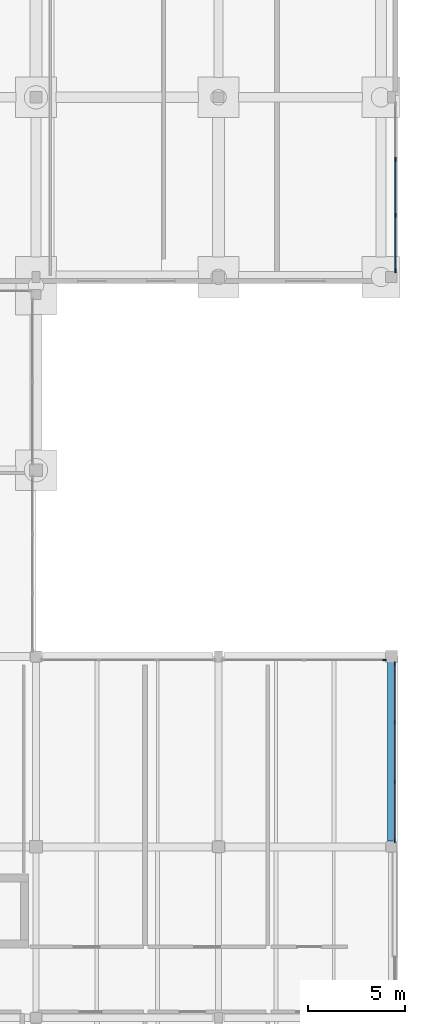
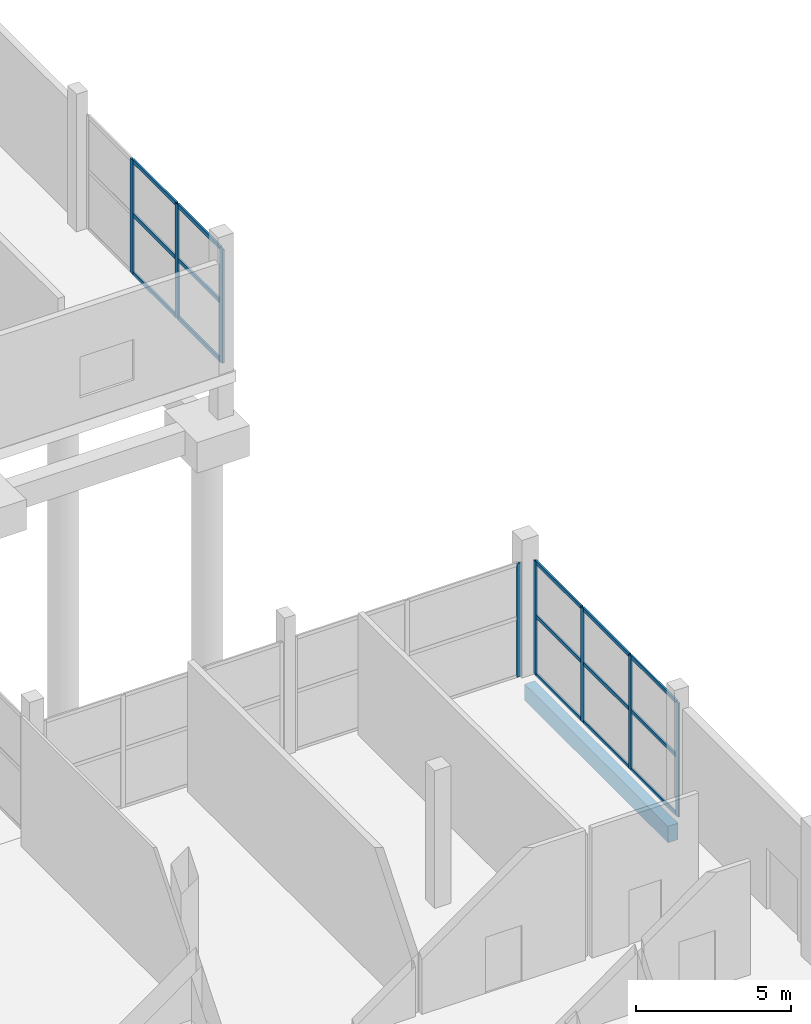
# One storey, part 45 of 88: 23 members, 1 beam, 3 elements without a shape of their own.
"""IFC4 building model written with IfcOpenShell, lengths in metres."""

from ifc_helpers import new_model, si_unit, direction, frame, origin, origin_2d, place, context, subcontext, project, spatial, rectangle, extrude, material, layer, layer_set, material_profile, profile_set, type_object, element, aggregate, save


model = new_model("IFC4")

# Units and contexts
model_context = context("Model", 3, precision=1e-05, world=origin(), true_north=direction((0.0, 1.0)))
body_context = subcontext(model_context, "Body", "Model", "MODEL_VIEW")
ifc_project = project(units=[si_unit("LENGTHUNIT", "METRE"), si_unit("AREAUNIT", "SQUARE_METRE"), si_unit("VOLUMEUNIT", "CUBIC_METRE"), si_unit("PLANEANGLEUNIT", "RADIAN"), si_unit("MASSUNIT", "GRAM", prefix="KILO")], contexts=[model_context])

# Site, building, storey
site_placement = place(None, origin())
site = spatial("IfcSite", under=ifc_project, at=site_placement, CompositionType="ELEMENT")
building_placement = place(site_placement, origin())
building = spatial("IfcBuilding", under=site, at=building_placement, Name="Birchvale Park Specialist Clinic", CompositionType="ELEMENT")
storey_placement = place(building_placement, origin())
storey = spatial("IfcBuildingStorey", under=building, at=storey_placement, Name="L00", CompositionType="ELEMENT", Elevation=0.0)

# Beam
ifc_material_1 = material(Name="Concrete C40/50", Category="concrete")
ifc_material_profile_1 = material_profile(ifc_material_1, rectangle(XDim=0.3798828125, YDim=0.639892578125, at=origin_2d()), Name="RCB-380x640")
ifc_profile_set_1 = profile_set([ifc_material_profile_1], Name="Concrete C40/50")
beam_type = type_object("IfcBeamType", Name="BM-EXT-BG5", PredefinedType="BEAM", material=ifc_profile_set_1)
beam_placement = place(storey_placement, frame((164.699951171875, 34.89990234375, -0.6201171875), z_axis=(0.0, 1.0, 0.0), x_axis=(-1.0, 0.0, 0.0)))
element("IfcBeam", 1, at=beam_placement, inside=storey, type_object=beam_type, Name="V5 L00 Y girder 38", PredefinedType="BEAM", context=body_context, shape_type="SweptSolid", body=[
    extrude(rectangle(XDim=0.3798828125, YDim=0.639892578125, at=origin_2d()), origin(), (0.0, 0.0, 1.0), 9.22509765625),
])

# Curtain wall, members
ifc_material_2 = material(Name="Thermally broken anodised aluminium", Category="aluminium")
ifc_layer_1 = layer(ifc_material_2, 0.195068359375)
ifc_layer_set_1 = layer_set([ifc_layer_1], Name="Thermally broken anodised aluminium")
curtain_wall_type_1 = type_object("IfcCurtainWallType", Name="CW-U2", PredefinedType="USERDEFINED", material=ifc_layer_set_1)
curtain_wall_1_placement = place(storey_placement, origin())
curtain_wall_1 = element("IfcCurtainWall", 2, at=curtain_wall_1_placement, inside=storey, type_object=curtain_wall_type_1, Name="V5 L00 glazed curtain wall 48", ObjectType="UNITISED", PredefinedType="USERDEFINED")
ifc_material_profile_2 = material_profile(ifc_material_2, rectangle(XDim=0.06494140625, YDim=0.179931640625, at=origin_2d()), Name="CWM-65x180")
ifc_profile_set_2 = profile_set([ifc_material_profile_2], Name="Thermally broken anodised aluminium")
member_type_1 = type_object("IfcMemberType", Name="CWM2", PredefinedType="MULLION", material=ifc_profile_set_2)
member_1_placement = place(storey_placement, frame((164.875, 34.8974609375, 0.0), z_axis=(0.0, 0.0, 1.0), x_axis=(-1.0, 0.0, 0.0)))
member_1 = element("IfcMember", 3, at=member_1_placement, type_object=member_type_1, Name="CW mullion 1", PredefinedType="MULLION", context=body_context, shape_type="SweptSolid", body=[
    extrude(rectangle(XDim=0.06494140625, YDim=0.179931640625, at=origin_2d()), origin(), (0.0, 0.0, 1.0), 4.469970703125),
])
member_2_placement = place(storey_placement, frame((164.875, 37.938232421875, 0.0), z_axis=(0.0, 0.0, 1.0), x_axis=(-1.0, 0.0, 0.0)))
member_2 = element("IfcMember", 4, at=member_2_placement, type_object=member_type_1, Name="CW mullion 2", PredefinedType="MULLION", context=body_context, shape_type="SweptSolid", body=[
    extrude(rectangle(XDim=0.06494140625, YDim=0.179931640625, at=origin_2d()), origin(), (0.0, 0.0, 1.0), 4.469970703125),
])
member_3_placement = place(storey_placement, frame((164.875, 41.01171875, 0.0), z_axis=(0.0, 0.0, 1.0), x_axis=(-1.0, 0.0, 0.0)))
member_3 = element("IfcMember", 5, at=member_3_placement, type_object=member_type_1, Name="CW mullion 3", PredefinedType="MULLION", context=body_context, shape_type="SweptSolid", body=[
    extrude(rectangle(XDim=0.06494140625, YDim=0.179931640625, at=origin_2d()), origin(), (0.0, 0.0, 1.0), 4.469970703125),
])
member_4_placement = place(storey_placement, frame((164.875, 44.052490234375, 0.0), z_axis=(0.0, 0.0, 1.0), x_axis=(-1.0, 0.0, 0.0)))
member_4 = element("IfcMember", 6, at=member_4_placement, type_object=member_type_1, Name="CW mullion 4", PredefinedType="MULLION", context=body_context, shape_type="SweptSolid", body=[
    extrude(rectangle(XDim=0.06494140625, YDim=0.179931640625, at=origin_2d()), origin(), (0.0, 0.0, 1.0), 4.469970703125),
])

# Curtain wall, member
curtain_wall_2_placement = place(storey_placement, origin())
curtain_wall_2 = element("IfcCurtainWall", 7, at=curtain_wall_2_placement, inside=storey, type_object=curtain_wall_type_1, Name="V5 L00 glazed curtain wall 49", ObjectType="UNITISED", PredefinedType="USERDEFINED")
member_5_placement = place(storey_placement, frame((164.3525390625, 44.22509765625, 0.0), z_axis=(0.0, 0.0, 1.0), x_axis=(0.0, -1.0, 0.0)))
member_5 = element("IfcMember", 8, at=member_5_placement, type_object=member_type_1, Name="CW mullion 1", PredefinedType="MULLION", context=body_context, shape_type="SweptSolid", body=[
    extrude(rectangle(XDim=0.06494140625, YDim=0.179931640625, at=origin_2d()), origin(), (0.0, 0.0, 1.0), 4.4599609375),
])
aggregate(curtain_wall_2, [member_5])

# Curtain wall, members
ifc_layer_2 = layer(ifc_material_2, 0.2099609375)
ifc_layer_set_2 = layer_set([ifc_layer_2], Name="Thermally broken anodised aluminium")
curtain_wall_type_2 = type_object("IfcCurtainWallType", Name="CW-U3", PredefinedType="USERDEFINED", material=ifc_layer_set_2)
curtain_wall_3_placement = place(storey_placement, origin())
curtain_wall_3 = element("IfcCurtainWall", 9, at=curtain_wall_3_placement, inside=storey, type_object=curtain_wall_type_2, Name="V6 L00 glazed curtain wall 61", ObjectType="UNITISED", PredefinedType="USERDEFINED")
ifc_material_profile_3 = material_profile(ifc_material_2, rectangle(XDim=0.070068359375, YDim=0.199951171875, at=origin_2d()), Name="CWM-70x200")
ifc_profile_set_3 = profile_set([ifc_material_profile_3], Name="Thermally broken anodised aluminium")
member_type_2 = type_object("IfcMemberType", Name="CWM3", PredefinedType="MULLION", material=ifc_profile_set_3)
member_6_placement = place(storey_placement, frame((164.905029296875, 64.27490234375, 0.0), z_axis=(0.0, 0.0, 1.0), x_axis=(-1.0, 0.0, 0.0)))
member_6 = element("IfcMember", 10, at=member_6_placement, type_object=member_type_2, Name="CW mullion 1", PredefinedType="MULLION", context=body_context, shape_type="SweptSolid", body=[
    extrude(rectangle(XDim=0.070068359375, YDim=0.199951171875, at=origin_2d()), origin(), (0.0, 0.0, 1.0), 4.469970703125),
])
member_7_placement = place(storey_placement, frame((164.905029296875, 67.1298828125, 0.0), z_axis=(0.0, 0.0, 1.0), x_axis=(-1.0, 0.0, 0.0)))
member_7 = element("IfcMember", 11, at=member_7_placement, type_object=member_type_2, Name="CW mullion 2", PredefinedType="MULLION", context=body_context, shape_type="SweptSolid", body=[
    extrude(rectangle(XDim=0.070068359375, YDim=0.199951171875, at=origin_2d()), origin(), (0.0, 0.0, 1.0), 4.469970703125),
])
member_8_placement = place(storey_placement, frame((164.905029296875, 70.02001953125, 0.0), z_axis=(0.0, 0.0, 1.0), x_axis=(-1.0, 0.0, 0.0)))
member_8 = element("IfcMember", 12, at=member_8_placement, type_object=member_type_2, Name="CW mullion 3", PredefinedType="MULLION", context=body_context, shape_type="SweptSolid", body=[
    extrude(rectangle(XDim=0.070068359375, YDim=0.199951171875, at=origin_2d()), origin(), (0.0, 0.0, 1.0), 4.469970703125),
])

# Member
ifc_material_profile_4 = material_profile(ifc_material_2, rectangle(XDim=0.06494140625, YDim=0.139892578125, at=origin_2d()), Name="CWT-65x140")
ifc_profile_set_4 = profile_set([ifc_material_profile_4], Name="Thermally broken anodised aluminium")
member_type_3 = type_object("IfcMemberType", Name="CWT2", PredefinedType="USERDEFINED", material=ifc_profile_set_4)
member_9_placement = place(storey_placement, frame((164.875, 34.929931640625, 0.032470703125), z_axis=(0.0, 1.0, 0.0), x_axis=(-1.0, 0.0, 0.0)))
member_9 = element("IfcMember", 13, at=member_9_placement, type_object=member_type_3, Name="CW transom 1.1", ObjectType="TRANSOM", PredefinedType="USERDEFINED", context=body_context, shape_type="SweptSolid", body=[
    extrude(rectangle(XDim=0.06494140625, YDim=0.139892578125, at=origin_2d()), origin(), (0.0, 0.0, 1.0), 2.975830078125),
])

member_10_placement = place(storey_placement, frame((164.875, 34.929931640625, 2.324462890625), z_axis=(0.0, 1.0, 0.0), x_axis=(-1.0, 0.0, 0.0)))
member_10 = element("IfcMember", 14, at=member_10_placement, type_object=member_type_3, Name="CW transom 1.2", ObjectType="TRANSOM", PredefinedType="USERDEFINED", context=body_context, shape_type="SweptSolid", body=[
    extrude(rectangle(XDim=0.06494140625, YDim=0.139892578125, at=origin_2d()), origin(), (0.0, 0.0, 1.0), 2.975830078125),
])

member_11_placement = place(storey_placement, frame((164.875, 34.929931640625, 4.4375), z_axis=(0.0, 1.0, 0.0), x_axis=(-1.0, 0.0, 0.0)))
member_11 = element("IfcMember", 15, at=member_11_placement, type_object=member_type_3, Name="CW transom 1.3", ObjectType="TRANSOM", PredefinedType="USERDEFINED", context=body_context, shape_type="SweptSolid", body=[
    extrude(rectangle(XDim=0.06494140625, YDim=0.139892578125, at=origin_2d()), origin(), (0.0, 0.0, 1.0), 2.975830078125),
])

member_12_placement = place(storey_placement, frame((164.875, 37.970947265625, 0.032470703125), z_axis=(0.0, 1.0, 0.0), x_axis=(-1.0, 0.0, 0.0)))
member_12 = element("IfcMember", 16, at=member_12_placement, type_object=member_type_3, Name="CW transom 2.1", ObjectType="TRANSOM", PredefinedType="USERDEFINED", context=body_context, shape_type="SweptSolid", body=[
    extrude(rectangle(XDim=0.06494140625, YDim=0.139892578125, at=origin_2d()), origin(), (0.0, 0.0, 1.0), 3.00830078125),
])

member_13_placement = place(storey_placement, frame((164.875, 37.970947265625, 2.324462890625), z_axis=(0.0, 1.0, 0.0), x_axis=(-1.0, 0.0, 0.0)))
member_13 = element("IfcMember", 17, at=member_13_placement, type_object=member_type_3, Name="CW transom 2.2", ObjectType="TRANSOM", PredefinedType="USERDEFINED", context=body_context, shape_type="SweptSolid", body=[
    extrude(rectangle(XDim=0.06494140625, YDim=0.139892578125, at=origin_2d()), origin(), (0.0, 0.0, 1.0), 3.00830078125),
])

member_14_placement = place(storey_placement, frame((164.875, 37.970947265625, 4.4375), z_axis=(0.0, 1.0, 0.0), x_axis=(-1.0, 0.0, 0.0)))
member_14 = element("IfcMember", 18, at=member_14_placement, type_object=member_type_3, Name="CW transom 2.3", ObjectType="TRANSOM", PredefinedType="USERDEFINED", context=body_context, shape_type="SweptSolid", body=[
    extrude(rectangle(XDim=0.06494140625, YDim=0.139892578125, at=origin_2d()), origin(), (0.0, 0.0, 1.0), 3.00830078125),
])

member_15_placement = place(storey_placement, frame((164.875, 41.044189453125, 0.032470703125), z_axis=(0.0, 1.0, 0.0), x_axis=(-1.0, 0.0, 0.0)))
member_15 = element("IfcMember", 19, at=member_15_placement, type_object=member_type_3, Name="CW transom 3.1", ObjectType="TRANSOM", PredefinedType="USERDEFINED", context=body_context, shape_type="SweptSolid", body=[
    extrude(rectangle(XDim=0.06494140625, YDim=0.139892578125, at=origin_2d()), origin(), (0.0, 0.0, 1.0), 2.975830078125),
])

member_16_placement = place(storey_placement, frame((164.875, 41.044189453125, 2.324462890625), z_axis=(0.0, 1.0, 0.0), x_axis=(-1.0, 0.0, 0.0)))
member_16 = element("IfcMember", 20, at=member_16_placement, type_object=member_type_3, Name="CW transom 3.2", ObjectType="TRANSOM", PredefinedType="USERDEFINED", context=body_context, shape_type="SweptSolid", body=[
    extrude(rectangle(XDim=0.06494140625, YDim=0.139892578125, at=origin_2d()), origin(), (0.0, 0.0, 1.0), 2.975830078125),
])

member_17_placement = place(storey_placement, frame((164.875, 41.044189453125, 4.4375), z_axis=(0.0, 1.0, 0.0), x_axis=(-1.0, 0.0, 0.0)))
member_17 = element("IfcMember", 21, at=member_17_placement, type_object=member_type_3, Name="CW transom 3.3", ObjectType="TRANSOM", PredefinedType="USERDEFINED", context=body_context, shape_type="SweptSolid", body=[
    extrude(rectangle(XDim=0.06494140625, YDim=0.139892578125, at=origin_2d()), origin(), (0.0, 0.0, 1.0), 2.975830078125),
])

aggregate(curtain_wall_1, [member_1, member_2, member_3, member_4, member_9, member_10, member_11, member_12, member_13, member_14, member_15, member_16, member_17])

ifc_material_profile_5 = material_profile(ifc_material_2, rectangle(XDim=0.070068359375, YDim=0.14990234375, at=origin_2d()), Name="CWT-70x150")
ifc_profile_set_5 = profile_set([ifc_material_profile_5], Name="Thermally broken anodised aluminium")
member_type_4 = type_object("IfcMemberType", Name="CWT3", PredefinedType="USERDEFINED", material=ifc_profile_set_5)
member_18_placement = place(storey_placement, frame((164.905029296875, 64.31005859375, 0.034912109375), z_axis=(0.0, 1.0, 0.0), x_axis=(-1.0, 0.0, 0.0)))
member_18 = element("IfcMember", 22, at=member_18_placement, type_object=member_type_4, Name="CW transom 1.1", ObjectType="TRANSOM", PredefinedType="USERDEFINED", context=body_context, shape_type="SweptSolid", body=[
    extrude(rectangle(XDim=0.070068359375, YDim=0.14990234375, at=origin_2d()), origin(), (0.0, 0.0, 1.0), 2.784912109375),
])

member_19_placement = place(storey_placement, frame((164.905029296875, 64.31005859375, 2.324462890625), z_axis=(0.0, 1.0, 0.0), x_axis=(-1.0, 0.0, 0.0)))
member_19 = element("IfcMember", 23, at=member_19_placement, type_object=member_type_4, Name="CW transom 1.2", ObjectType="TRANSOM", PredefinedType="USERDEFINED", context=body_context, shape_type="SweptSolid", body=[
    extrude(rectangle(XDim=0.070068359375, YDim=0.14990234375, at=origin_2d()), origin(), (0.0, 0.0, 1.0), 2.784912109375),
])

member_20_placement = place(storey_placement, frame((164.905029296875, 64.31005859375, 4.43505859375), z_axis=(0.0, 1.0, 0.0), x_axis=(-1.0, 0.0, 0.0)))
member_20 = element("IfcMember", 24, at=member_20_placement, type_object=member_type_4, Name="CW transom 1.3", ObjectType="TRANSOM", PredefinedType="USERDEFINED", context=body_context, shape_type="SweptSolid", body=[
    extrude(rectangle(XDim=0.070068359375, YDim=0.14990234375, at=origin_2d()), origin(), (0.0, 0.0, 1.0), 2.784912109375),
])

member_21_placement = place(storey_placement, frame((164.905029296875, 67.1650390625, 0.034912109375), z_axis=(0.0, 1.0, 0.0), x_axis=(-1.0, 0.0, 0.0)))
member_21 = element("IfcMember", 25, at=member_21_placement, type_object=member_type_4, Name="CW transom 2.1", ObjectType="TRANSOM", PredefinedType="USERDEFINED", context=body_context, shape_type="SweptSolid", body=[
    extrude(rectangle(XDim=0.070068359375, YDim=0.14990234375, at=origin_2d()), origin(), (0.0, 0.0, 1.0), 2.820068359375),
])

member_22_placement = place(storey_placement, frame((164.905029296875, 67.1650390625, 2.324462890625), z_axis=(0.0, 1.0, 0.0), x_axis=(-1.0, 0.0, 0.0)))
member_22 = element("IfcMember", 26, at=member_22_placement, type_object=member_type_4, Name="CW transom 2.2", ObjectType="TRANSOM", PredefinedType="USERDEFINED", context=body_context, shape_type="SweptSolid", body=[
    extrude(rectangle(XDim=0.070068359375, YDim=0.14990234375, at=origin_2d()), origin(), (0.0, 0.0, 1.0), 2.820068359375),
])

member_23_placement = place(storey_placement, frame((164.905029296875, 67.1650390625, 4.43505859375), z_axis=(0.0, 1.0, 0.0), x_axis=(-1.0, 0.0, 0.0)))
member_23 = element("IfcMember", 27, at=member_23_placement, type_object=member_type_4, Name="CW transom 2.3", ObjectType="TRANSOM", PredefinedType="USERDEFINED", context=body_context, shape_type="SweptSolid", body=[
    extrude(rectangle(XDim=0.070068359375, YDim=0.14990234375, at=origin_2d()), origin(), (0.0, 0.0, 1.0), 2.820068359375),
])

aggregate(curtain_wall_3, [member_6, member_7, member_8, member_18, member_19, member_20, member_21, member_22, member_23])

save(model, "model.ifc")
